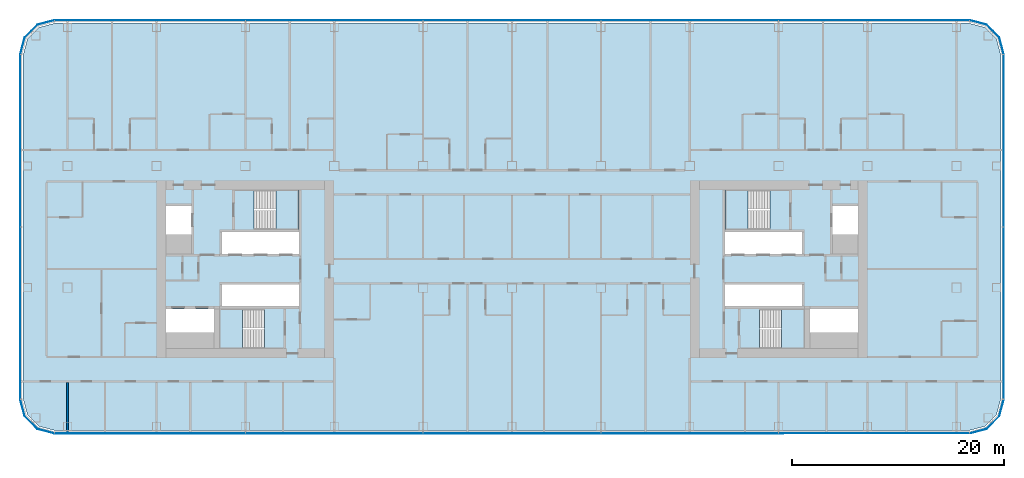
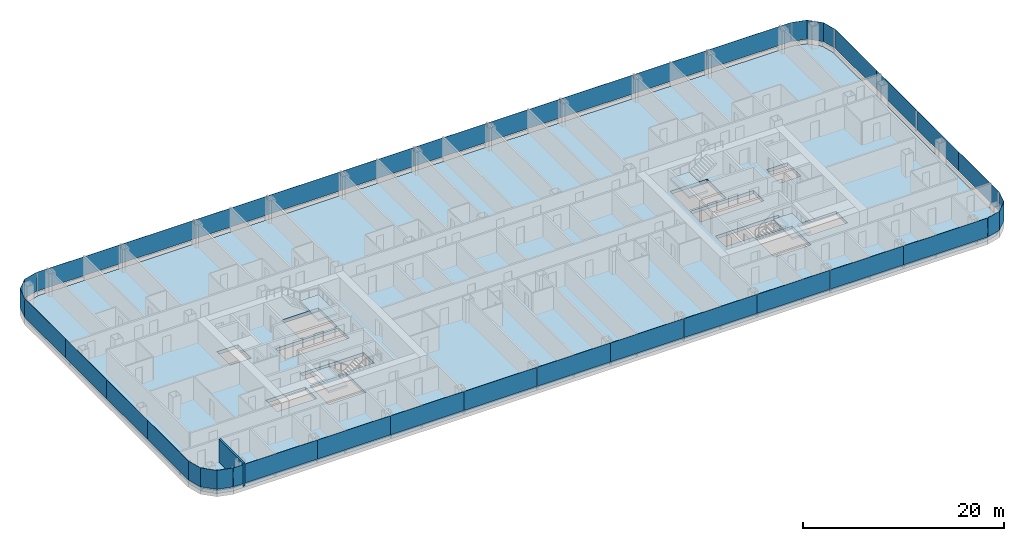
# One storey, part 14 of 29: 32 plates, 5 slabs, 1 wall, 12 elements without a shape of their own.
"""IFC4 building model written with IfcOpenShell, lengths in metres."""

from ifc_helpers import new_model, si_unit, direction, frame, frame_2d, origin, origin_2d, place, context, subcontext, project, spatial, polyline, rectangle, outline, extrude, material, layer, layer_set, type_object, element, aggregate, save


model = new_model("IFC4")

# Units and contexts
model_context = context("Model", 3, precision=1e-05, world=origin(), true_north=direction((0.0, 1.0)))
body_context = subcontext(model_context, "Body", "Model", "MODEL_VIEW")
ifc_project = project(units=[si_unit("LENGTHUNIT", "METRE"), si_unit("AREAUNIT", "SQUARE_METRE"), si_unit("VOLUMEUNIT", "CUBIC_METRE"), si_unit("PLANEANGLEUNIT", "RADIAN"), si_unit("MASSUNIT", "GRAM", prefix="KILO")], contexts=[model_context])

# Site, building, storey
site_placement = place(None, origin())
site = spatial("IfcSite", under=ifc_project, at=site_placement, CompositionType="ELEMENT")
building_placement = place(site_placement, origin())
building = spatial("IfcBuilding", under=site, at=building_placement, Name="Hakoniwa Tower and Hamabe Station Hall", CompositionType="ELEMENT")
storey_placement = place(building_placement, frame((0.0, 0.0, 97.800048828125)))
storey = spatial("IfcBuildingStorey", under=building, at=storey_placement, Name="L27", CompositionType="ELEMENT", Elevation=97.800048828125)

# Stair, slab
ifc_material_1 = material(Name="Concrete C40", Category="concrete")
stair_type = type_object("IfcStairType", Name="ESCAPE STAIR 1800", PredefinedType="HALF_TURN_STAIR", material=ifc_material_1)
stair_1_placement = place(storey_placement, origin())
stair_1 = element("IfcStair", 1, at=stair_1_placement, inside=storey, type_object=stair_type, Name="Escape stair ST-1 L27", PredefinedType="HALF_TURN_STAIR")
ifc_material_2 = material(Name="Concrete C40", Category="concrete")
ifc_layer_1 = layer(ifc_material_2, 0.25)
ifc_layer_set_1 = layer_set([ifc_layer_1], Name="CORE STAIR LANDING 250")
slab_type_1 = type_object("IfcSlabType", Name="CORE STAIR LANDING 250", PredefinedType="LANDING", material=ifc_layer_set_1)
slab_1_placement = place(storey_placement, frame((0.0, 0.0, 1.349853515625)))
slab_1 = element("IfcSlab", 2, at=slab_1_placement, type_object=slab_type_1, Name="ST-1 landing 1", PredefinedType="LANDING", context=body_context, shape_type="SweptSolid", body=[
    extrude(outline(polyline([(-22.320068359375, 3.75), (-20.14990234375, 3.75), (-20.14990234375, 7.5), (-22.320068359375, 7.5), (-22.320068359375, 3.75)])), origin(), (0.0, 0.0, 1.0), 0.25),
])
aggregate(stair_1, [slab_1])

stair_2_placement = place(storey_placement, origin())
stair_2 = element("IfcStair", 3, at=stair_2_placement, inside=storey, type_object=stair_type, Name="Escape stair ST-2 L27", PredefinedType="HALF_TURN_STAIR")
slab_2_placement = place(storey_placement, frame((0.0, 0.0, 1.349853515625)))
slab_2 = element("IfcSlab", 4, at=slab_2_placement, type_object=slab_type_1, Name="ST-2 landing 1", PredefinedType="LANDING", context=body_context, shape_type="SweptSolid", body=[
    extrude(outline(polyline([(-25.47998046875, -7.5), (-27.64990234375, -7.5), (-27.64990234375, -3.75), (-25.47998046875, -3.75), (-25.47998046875, -7.5)])), origin(), (0.0, 0.0, 1.0), 0.25),
])
aggregate(stair_2, [slab_2])

stair_3_placement = place(storey_placement, origin())
stair_3 = element("IfcStair", 5, at=stair_3_placement, inside=storey, type_object=stair_type, Name="Escape stair ST-3 L27", PredefinedType="HALF_TURN_STAIR")
slab_3_placement = place(storey_placement, frame((0.0, 0.0, 1.349853515625)))
slab_3 = element("IfcSlab", 6, at=slab_3_placement, type_object=slab_type_1, Name="ST-3 landing 1", PredefinedType="LANDING", context=body_context, shape_type="SweptSolid", body=[
    extrude(outline(polyline([(22.320068359375, 3.75), (20.14990234375, 3.75), (20.14990234375, 7.5), (22.320068359375, 7.5), (22.320068359375, 3.75)])), origin(), (0.0, 0.0, 1.0), 0.25),
])
aggregate(stair_3, [slab_3])

stair_4_placement = place(storey_placement, origin())
stair_4 = element("IfcStair", 7, at=stair_4_placement, inside=storey, type_object=stair_type, Name="Escape stair ST-4 L27", PredefinedType="HALF_TURN_STAIR")
slab_4_placement = place(storey_placement, frame((0.0, 0.0, 1.349853515625)))
slab_4 = element("IfcSlab", 8, at=slab_4_placement, type_object=slab_type_1, Name="ST-4 landing 1", PredefinedType="LANDING", context=body_context, shape_type="SweptSolid", body=[
    extrude(outline(polyline([(25.47998046875, -7.5), (27.64990234375, -7.5), (27.64990234375, -3.75), (25.47998046875, -3.75), (25.47998046875, -7.5)])), origin(), (0.0, 0.0, 1.0), 0.25),
])
aggregate(stair_4, [slab_4])

# Curtain wall, plates
ifc_material_3 = material(Name="Dark low-e laminated glass", Category="glass")
ifc_layer_2 = layer(ifc_material_3, 0.199951171875)
ifc_layer_set_2 = layer_set([ifc_layer_2], Name="CW-1 UNITISED GUEST")
curtain_wall_type = type_object("IfcCurtainWallType", Name="CW-1 UNITISED GUEST", PredefinedType="NOTDEFINED", material=ifc_layer_set_2)
curtain_wall_1_placement = place(storey_placement, origin())
curtain_wall_1 = element("IfcCurtainWall", 9, at=curtain_wall_1_placement, inside=storey, type_object=curtain_wall_type, Name="CW-1 curtain wall", PredefinedType="NOTDEFINED")
ifc_material_4 = material(Name="Dark low-e laminated glass", Category="glass")
ifc_layer_3 = layer(ifc_material_4, 0.028076171875)
ifc_layer_set_3 = layer_set([ifc_layer_3], Name="CW-1 GLASS UNIT")
plate_type = type_object("IfcPlateType", Name="CW-1 GLASS UNIT", PredefinedType="CURTAIN_PANEL", material=ifc_layer_set_3)
plate_1_placement = place(storey_placement, frame((46.486083984375, -8.217041015625, 0.35009765625), z_axis=(0.0, 0.0, 1.0), x_axis=(0.0, 1.0, 0.0)))
plate_1 = element("IfcPlate", 10, at=plate_1_placement, type_object=plate_type, Name="CW-1 glass unit", PredefinedType="CURTAIN_PANEL", context=body_context, shape_type="SweptSolid", body=[
    extrude(rectangle(XDim=8.124755859375, YDim=0.028076171875, at=origin_2d()), origin(), (0.0, 0.0, 1.0), 2.300048828125),
])
plate_2_placement = place(storey_placement, frame((46.486083984375, -0.072265625, 0.35009765625), z_axis=(0.0, 0.0, 1.0), x_axis=(0.0, 1.0, 0.0)))
plate_2 = element("IfcPlate", 11, at=plate_2_placement, type_object=plate_type, Name="CW-1 glass unit", PredefinedType="CURTAIN_PANEL", context=body_context, shape_type="SweptSolid", body=[
    extrude(rectangle(XDim=8.124755859375, YDim=0.028076171875, at=origin_2d()), origin(), (0.0, 0.0, 1.0), 2.300048828125),
])
plate_3_placement = place(storey_placement, frame((46.486083984375, 8.072265625, 0.35009765625), z_axis=(0.0, 0.0, 1.0), x_axis=(0.0, 1.0, 0.0)))
plate_3 = element("IfcPlate", 12, at=plate_3_placement, type_object=plate_type, Name="CW-1 glass unit", PredefinedType="CURTAIN_PANEL", context=body_context, shape_type="SweptSolid", body=[
    extrude(rectangle(XDim=8.124755859375, YDim=0.028076171875, at=origin_2d()), origin(), (0.0, 0.0, 1.0), 2.300048828125),
])
plate_4_placement = place(storey_placement, frame((46.486083984375, 16.217041015625, 0.35009765625), z_axis=(0.0, 0.0, 1.0), x_axis=(0.0, 1.0, 0.0)))
plate_4 = element("IfcPlate", 13, at=plate_4_placement, type_object=plate_type, Name="CW-1 glass unit", PredefinedType="CURTAIN_PANEL", context=body_context, shape_type="SweptSolid", body=[
    extrude(rectangle(XDim=8.124755859375, YDim=0.028076171875, at=origin_2d()), origin(), (0.0, 0.0, 1.0), 2.300048828125),
])
aggregate(curtain_wall_1, [plate_1, plate_2, plate_3, plate_4])

# Curtain wall, plate
curtain_wall_2_placement = place(storey_placement, origin())
curtain_wall_2 = element("IfcCurtainWall", 14, at=curtain_wall_2_placement, inside=storey, type_object=curtain_wall_type, Name="CW-1 curtain wall", PredefinedType="NOTDEFINED")
plate_5_placement = place(storey_placement, frame((0.0, 0.0, 0.349853515625)))
plate_5 = element("IfcPlate", 15, at=plate_5_placement, type_object=plate_type, Name="CW-1 curved corner unit", PredefinedType="CURTAIN_PANEL", context=body_context, shape_type="SweptSolid", body=[
    extrude(outline(polyline([(46.48974609375, 20.328125), (46.067138671875, 21.9052734375), (44.855224609375, 23.116943359375), (43.278076171875, 23.53955078125), (43.27099609375, 23.5126953125), (44.8408203125, 23.092041015625), (46.0419921875, 21.890869140625), (46.462646484375, 20.32080078125), (46.48974609375, 20.328125)])), origin(), (0.0, 0.0, 1.0), 2.300048828125),
])
aggregate(curtain_wall_2, [plate_5])

# Curtain wall, plates
curtain_wall_3_placement = place(storey_placement, origin())
curtain_wall_3 = element("IfcCurtainWall", 16, at=curtain_wall_3_placement, inside=storey, type_object=curtain_wall_type, Name="CW-1 curtain wall", PredefinedType="NOTDEFINED")
plate_6_placement = place(storey_placement, frame((38.419677734375, 23.535888671875, 0.35009765625), z_axis=(0.0, 0.0, 1.0), x_axis=(-1.0, 0.0, 0.0)))
plate_6 = element("IfcPlate", 17, at=plate_6_placement, type_object=plate_type, Name="CW-1 glass unit", PredefinedType="CURTAIN_PANEL", context=body_context, shape_type="SweptSolid", body=[
    extrude(rectangle(XDim=9.619384765625, YDim=0.028076171875, at=origin_2d()), origin(), (0.0, 0.0, 1.0), 2.300048828125),
])
plate_7_placement = place(storey_placement, frame((29.39990234375, 23.535888671875, 0.35009765625), z_axis=(0.0, 0.0, 1.0), x_axis=(-1.0, 0.0, 0.0)))
plate_7 = element("IfcPlate", 18, at=plate_7_placement, type_object=plate_type, Name="CW-1 glass unit", PredefinedType="CURTAIN_PANEL", context=body_context, shape_type="SweptSolid", body=[
    extrude(rectangle(XDim=8.3798828125, YDim=0.028076171875, at=origin_2d()), origin(), (0.0, 0.0, 1.0), 2.300048828125),
])
plate_8_placement = place(storey_placement, frame((21.0, 23.535888671875, 0.35009765625), z_axis=(0.0, 0.0, 1.0), x_axis=(-1.0, 0.0, 0.0)))
plate_8 = element("IfcPlate", 19, at=plate_8_placement, type_object=plate_type, Name="CW-1 glass unit", PredefinedType="CURTAIN_PANEL", context=body_context, shape_type="SweptSolid", body=[
    extrude(rectangle(XDim=8.3798828125, YDim=0.028076171875, at=origin_2d()), origin(), (0.0, 0.0, 1.0), 2.300048828125),
])
plate_9_placement = place(storey_placement, frame((12.60009765625, 23.535888671875, 0.35009765625), z_axis=(0.0, 0.0, 1.0), x_axis=(-1.0, 0.0, 0.0)))
plate_9 = element("IfcPlate", 20, at=plate_9_placement, type_object=plate_type, Name="CW-1 glass unit", PredefinedType="CURTAIN_PANEL", context=body_context, shape_type="SweptSolid", body=[
    extrude(rectangle(XDim=8.3798828125, YDim=0.028076171875, at=origin_2d()), origin(), (0.0, 0.0, 1.0), 2.300048828125),
])
plate_10_placement = place(storey_placement, frame((4.199951171875, 23.535888671875, 0.35009765625), z_axis=(0.0, 0.0, 1.0), x_axis=(-1.0, 0.0, 0.0)))
plate_10 = element("IfcPlate", 21, at=plate_10_placement, type_object=plate_type, Name="CW-1 glass unit", PredefinedType="CURTAIN_PANEL", context=body_context, shape_type="SweptSolid", body=[
    extrude(rectangle(XDim=8.3798828125, YDim=0.028076171875, at=origin_2d()), origin(), (0.0, 0.0, 1.0), 2.300048828125),
])
plate_11_placement = place(storey_placement, frame((-4.199951171875, 23.535888671875, 0.35009765625), z_axis=(0.0, 0.0, 1.0), x_axis=(-1.0, 0.0, 0.0)))
plate_11 = element("IfcPlate", 22, at=plate_11_placement, type_object=plate_type, Name="CW-1 glass unit", PredefinedType="CURTAIN_PANEL", context=body_context, shape_type="SweptSolid", body=[
    extrude(rectangle(XDim=8.3798828125, YDim=0.028076171875, at=origin_2d()), origin(), (0.0, 0.0, 1.0), 2.300048828125),
])
plate_12_placement = place(storey_placement, frame((-12.60009765625, 23.535888671875, 0.35009765625), z_axis=(0.0, 0.0, 1.0), x_axis=(-1.0, 0.0, 0.0)))
plate_12 = element("IfcPlate", 23, at=plate_12_placement, type_object=plate_type, Name="CW-1 glass unit", PredefinedType="CURTAIN_PANEL", context=body_context, shape_type="SweptSolid", body=[
    extrude(rectangle(XDim=8.3798828125, YDim=0.028076171875, at=origin_2d()), origin(), (0.0, 0.0, 1.0), 2.300048828125),
])
plate_13_placement = place(storey_placement, frame((-21.0, 23.535888671875, 0.35009765625), z_axis=(0.0, 0.0, 1.0), x_axis=(-1.0, 0.0, 0.0)))
plate_13 = element("IfcPlate", 24, at=plate_13_placement, type_object=plate_type, Name="CW-1 glass unit", PredefinedType="CURTAIN_PANEL", context=body_context, shape_type="SweptSolid", body=[
    extrude(rectangle(XDim=8.3798828125, YDim=0.028076171875, at=origin_2d()), origin(), (0.0, 0.0, 1.0), 2.300048828125),
])
plate_14_placement = place(storey_placement, frame((-29.39990234375, 23.535888671875, 0.35009765625), z_axis=(0.0, 0.0, 1.0), x_axis=(-1.0, 0.0, 0.0)))
plate_14 = element("IfcPlate", 25, at=plate_14_placement, type_object=plate_type, Name="CW-1 glass unit", PredefinedType="CURTAIN_PANEL", context=body_context, shape_type="SweptSolid", body=[
    extrude(rectangle(XDim=8.3798828125, YDim=0.028076171875, at=origin_2d()), origin(), (0.0, 0.0, 1.0), 2.300048828125),
])
plate_15_placement = place(storey_placement, frame((-38.419677734375, 23.535888671875, 0.35009765625), z_axis=(0.0, 0.0, 1.0), x_axis=(-1.0, 0.0, 0.0)))
plate_15 = element("IfcPlate", 26, at=plate_15_placement, type_object=plate_type, Name="CW-1 glass unit", PredefinedType="CURTAIN_PANEL", context=body_context, shape_type="SweptSolid", body=[
    extrude(rectangle(XDim=9.619384765625, YDim=0.028076171875, at=origin_2d()), origin(), (0.0, 0.0, 1.0), 2.300048828125),
])
aggregate(curtain_wall_3, [plate_6, plate_7, plate_8, plate_9, plate_10, plate_11, plate_12, plate_13, plate_14, plate_15])

# Curtain wall, plate
curtain_wall_4_placement = place(storey_placement, origin())
curtain_wall_4 = element("IfcCurtainWall", 27, at=curtain_wall_4_placement, inside=storey, type_object=curtain_wall_type, Name="CW-1 curtain wall", PredefinedType="NOTDEFINED")
plate_16_placement = place(storey_placement, frame((0.0, 0.0, 0.349853515625)))
plate_16 = element("IfcPlate", 28, at=plate_16_placement, type_object=plate_type, Name="CW-1 curved corner unit", PredefinedType="CURTAIN_PANEL", context=body_context, shape_type="SweptSolid", body=[
    extrude(outline(polyline([(-43.278076171875, 23.53955078125), (-44.855224609375, 23.116943359375), (-46.067138671875, 21.9052734375), (-46.48974609375, 20.328125), (-46.462646484375, 20.32080078125), (-46.0419921875, 21.890869140625), (-44.8408203125, 23.092041015625), (-43.27099609375, 23.5126953125), (-43.278076171875, 23.53955078125)])), origin(), (0.0, 0.0, 1.0), 2.300048828125),
])
aggregate(curtain_wall_4, [plate_16])

# Curtain wall, plates
curtain_wall_5_placement = place(storey_placement, origin())
curtain_wall_5 = element("IfcCurtainWall", 29, at=curtain_wall_5_placement, inside=storey, type_object=curtain_wall_type, Name="CW-1 curtain wall", PredefinedType="NOTDEFINED")
plate_17_placement = place(storey_placement, frame((-46.486083984375, 16.217041015625, 0.35009765625), z_axis=(0.0, 0.0, 1.0), x_axis=(0.0, -1.0, 0.0)))
plate_17 = element("IfcPlate", 30, at=plate_17_placement, type_object=plate_type, Name="CW-1 glass unit", PredefinedType="CURTAIN_PANEL", context=body_context, shape_type="SweptSolid", body=[
    extrude(rectangle(XDim=8.124755859375, YDim=0.028076171875, at=origin_2d()), origin(), (0.0, 0.0, 1.0), 2.300048828125),
])
plate_18_placement = place(storey_placement, frame((-46.486083984375, 8.072265625, 0.35009765625), z_axis=(0.0, 0.0, 1.0), x_axis=(0.0, -1.0, 0.0)))
plate_18 = element("IfcPlate", 31, at=plate_18_placement, type_object=plate_type, Name="CW-1 glass unit", PredefinedType="CURTAIN_PANEL", context=body_context, shape_type="SweptSolid", body=[
    extrude(rectangle(XDim=8.124755859375, YDim=0.028076171875, at=origin_2d()), origin(), (0.0, 0.0, 1.0), 2.300048828125),
])
plate_19_placement = place(storey_placement, frame((-46.486083984375, -0.072265625, 0.35009765625), z_axis=(0.0, 0.0, 1.0), x_axis=(0.0, -1.0, 0.0)))
plate_19 = element("IfcPlate", 32, at=plate_19_placement, type_object=plate_type, Name="CW-1 glass unit", PredefinedType="CURTAIN_PANEL", context=body_context, shape_type="SweptSolid", body=[
    extrude(rectangle(XDim=8.124755859375, YDim=0.028076171875, at=origin_2d()), origin(), (0.0, 0.0, 1.0), 2.300048828125),
])
plate_20_placement = place(storey_placement, frame((-46.486083984375, -8.217041015625, 0.35009765625), z_axis=(0.0, 0.0, 1.0), x_axis=(0.0, -1.0, 0.0)))
plate_20 = element("IfcPlate", 33, at=plate_20_placement, type_object=plate_type, Name="CW-1 glass unit", PredefinedType="CURTAIN_PANEL", context=body_context, shape_type="SweptSolid", body=[
    extrude(rectangle(XDim=8.124755859375, YDim=0.028076171875, at=origin_2d()), origin(), (0.0, 0.0, 1.0), 2.300048828125),
])
aggregate(curtain_wall_5, [plate_17, plate_18, plate_19, plate_20])

# Curtain wall, plate
curtain_wall_6_placement = place(storey_placement, origin())
curtain_wall_6 = element("IfcCurtainWall", 34, at=curtain_wall_6_placement, inside=storey, type_object=curtain_wall_type, Name="CW-1 curtain wall", PredefinedType="NOTDEFINED")
plate_21_placement = place(storey_placement, frame((0.0, 0.0, 0.349853515625)))
plate_21 = element("IfcPlate", 35, at=plate_21_placement, type_object=plate_type, Name="CW-1 curved corner unit", PredefinedType="CURTAIN_PANEL", context=body_context, shape_type="SweptSolid", body=[
    extrude(outline(polyline([(-46.48974609375, -12.328125), (-46.067138671875, -13.9052734375), (-44.855224609375, -15.116943359375), (-43.278076171875, -15.53955078125), (-43.27099609375, -15.5126953125), (-44.8408203125, -15.092041015625), (-46.0419921875, -13.890869140625), (-46.462646484375, -12.32080078125), (-46.48974609375, -12.328125)])), origin(), (0.0, 0.0, 1.0), 2.300048828125),
])
aggregate(curtain_wall_6, [plate_21])

# Curtain wall, plates
curtain_wall_7_placement = place(storey_placement, origin())
curtain_wall_7 = element("IfcCurtainWall", 36, at=curtain_wall_7_placement, inside=storey, type_object=curtain_wall_type, Name="CW-1 curtain wall", PredefinedType="NOTDEFINED")
plate_22_placement = place(storey_placement, frame((-38.419677734375, -15.535888671875, 0.35009765625), z_axis=(0.0, 0.0, 1.0), x_axis=(1.0, 0.0, 0.0)))
plate_22 = element("IfcPlate", 37, at=plate_22_placement, type_object=plate_type, Name="CW-1 glass unit", PredefinedType="CURTAIN_PANEL", context=body_context, shape_type="SweptSolid", body=[
    extrude(rectangle(XDim=9.619384765625, YDim=0.028076171875, at=origin_2d()), origin(), (0.0, 0.0, 1.0), 2.300048828125),
])
plate_23_placement = place(storey_placement, frame((-29.39990234375, -15.535888671875, 0.35009765625), z_axis=(0.0, 0.0, 1.0), x_axis=(1.0, 0.0, 0.0)))
plate_23 = element("IfcPlate", 38, at=plate_23_placement, type_object=plate_type, Name="CW-1 glass unit", PredefinedType="CURTAIN_PANEL", context=body_context, shape_type="SweptSolid", body=[
    extrude(rectangle(XDim=8.3798828125, YDim=0.028076171875, at=origin_2d()), origin(), (0.0, 0.0, 1.0), 2.300048828125),
])
plate_24_placement = place(storey_placement, frame((-21.0, -15.535888671875, 0.35009765625), z_axis=(0.0, 0.0, 1.0), x_axis=(1.0, 0.0, 0.0)))
plate_24 = element("IfcPlate", 39, at=plate_24_placement, type_object=plate_type, Name="CW-1 glass unit", PredefinedType="CURTAIN_PANEL", context=body_context, shape_type="SweptSolid", body=[
    extrude(rectangle(XDim=8.3798828125, YDim=0.028076171875, at=origin_2d()), origin(), (0.0, 0.0, 1.0), 2.300048828125),
])
plate_25_placement = place(storey_placement, frame((-12.60009765625, -15.535888671875, 0.35009765625), z_axis=(0.0, 0.0, 1.0), x_axis=(1.0, 0.0, 0.0)))
plate_25 = element("IfcPlate", 40, at=plate_25_placement, type_object=plate_type, Name="CW-1 glass unit", PredefinedType="CURTAIN_PANEL", context=body_context, shape_type="SweptSolid", body=[
    extrude(rectangle(XDim=8.3798828125, YDim=0.028076171875, at=origin_2d()), origin(), (0.0, 0.0, 1.0), 2.300048828125),
])
plate_26_placement = place(storey_placement, frame((-4.199951171875, -15.535888671875, 0.35009765625), z_axis=(0.0, 0.0, 1.0), x_axis=(1.0, 0.0, 0.0)))
plate_26 = element("IfcPlate", 41, at=plate_26_placement, type_object=plate_type, Name="CW-1 glass unit", PredefinedType="CURTAIN_PANEL", context=body_context, shape_type="SweptSolid", body=[
    extrude(rectangle(XDim=8.3798828125, YDim=0.028076171875, at=origin_2d()), origin(), (0.0, 0.0, 1.0), 2.300048828125),
])
plate_27_placement = place(storey_placement, frame((4.199951171875, -15.535888671875, 0.35009765625), z_axis=(0.0, 0.0, 1.0), x_axis=(1.0, 0.0, 0.0)))
plate_27 = element("IfcPlate", 42, at=plate_27_placement, type_object=plate_type, Name="CW-1 glass unit", PredefinedType="CURTAIN_PANEL", context=body_context, shape_type="SweptSolid", body=[
    extrude(rectangle(XDim=8.3798828125, YDim=0.028076171875, at=origin_2d()), origin(), (0.0, 0.0, 1.0), 2.300048828125),
])
plate_28_placement = place(storey_placement, frame((12.60009765625, -15.535888671875, 0.35009765625), z_axis=(0.0, 0.0, 1.0), x_axis=(1.0, 0.0, 0.0)))
plate_28 = element("IfcPlate", 43, at=plate_28_placement, type_object=plate_type, Name="CW-1 glass unit", PredefinedType="CURTAIN_PANEL", context=body_context, shape_type="SweptSolid", body=[
    extrude(rectangle(XDim=8.3798828125, YDim=0.028076171875, at=origin_2d()), origin(), (0.0, 0.0, 1.0), 2.300048828125),
])
plate_29_placement = place(storey_placement, frame((21.0, -15.535888671875, 0.35009765625), z_axis=(0.0, 0.0, 1.0), x_axis=(1.0, 0.0, 0.0)))
plate_29 = element("IfcPlate", 44, at=plate_29_placement, type_object=plate_type, Name="CW-1 glass unit", PredefinedType="CURTAIN_PANEL", context=body_context, shape_type="SweptSolid", body=[
    extrude(rectangle(XDim=8.3798828125, YDim=0.028076171875, at=origin_2d()), origin(), (0.0, 0.0, 1.0), 2.300048828125),
])
plate_30_placement = place(storey_placement, frame((29.39990234375, -15.535888671875, 0.35009765625), z_axis=(0.0, 0.0, 1.0), x_axis=(1.0, 0.0, 0.0)))
plate_30 = element("IfcPlate", 45, at=plate_30_placement, type_object=plate_type, Name="CW-1 glass unit", PredefinedType="CURTAIN_PANEL", context=body_context, shape_type="SweptSolid", body=[
    extrude(rectangle(XDim=8.3798828125, YDim=0.028076171875, at=origin_2d()), origin(), (0.0, 0.0, 1.0), 2.300048828125),
])
plate_31_placement = place(storey_placement, frame((38.419677734375, -15.535888671875, 0.35009765625), z_axis=(0.0, 0.0, 1.0), x_axis=(1.0, 0.0, 0.0)))
plate_31 = element("IfcPlate", 46, at=plate_31_placement, type_object=plate_type, Name="CW-1 glass unit", PredefinedType="CURTAIN_PANEL", context=body_context, shape_type="SweptSolid", body=[
    extrude(rectangle(XDim=9.619384765625, YDim=0.028076171875, at=origin_2d()), origin(), (0.0, 0.0, 1.0), 2.300048828125),
])
aggregate(curtain_wall_7, [plate_22, plate_23, plate_24, plate_25, plate_26, plate_27, plate_28, plate_29, plate_30, plate_31])

# Curtain wall, plate
curtain_wall_8_placement = place(storey_placement, origin())
curtain_wall_8 = element("IfcCurtainWall", 47, at=curtain_wall_8_placement, inside=storey, type_object=curtain_wall_type, Name="CW-1 curtain wall", PredefinedType="NOTDEFINED")
plate_32_placement = place(storey_placement, frame((0.0, 0.0, 0.349853515625)))
plate_32 = element("IfcPlate", 48, at=plate_32_placement, type_object=plate_type, Name="CW-1 curved corner unit", PredefinedType="CURTAIN_PANEL", context=body_context, shape_type="SweptSolid", body=[
    extrude(outline(polyline([(43.278076171875, -15.53955078125), (44.855224609375, -15.116943359375), (46.067138671875, -13.9052734375), (46.48974609375, -12.328125), (46.462646484375, -12.32080078125), (46.0419921875, -13.890869140625), (44.8408203125, -15.092041015625), (43.27099609375, -15.5126953125), (43.278076171875, -15.53955078125)])), origin(), (0.0, 0.0, 1.0), 2.300048828125),
])
aggregate(curtain_wall_8, [plate_32])

# Slab
ifc_material_5 = material(Name="Concrete C42", Category="concrete")
ifc_layer_4 = layer(ifc_material_5, 0.39990234375)
ifc_layer_set_4 = layer_set([ifc_layer_4], Name="PT FLAT PLATE 400")
slab_type_2 = type_object("IfcSlabType", Name="PT FLAT PLATE 400", PredefinedType="FLOOR", material=ifc_layer_set_4)
slab_5_placement = place(storey_placement, frame((0.0, 0.0, -0.400146484375)))
element("IfcSlab", 49, at=slab_5_placement, inside=storey, type_object=slab_type_2, Name="Floor slab L27", PredefinedType="FLOOR", context=body_context, shape_type="SweptSolid", body=[
    extrude(outline(polyline([(46.199951171875, -12.25), (46.199951171875, 20.25), (45.798095703125, 21.75), (44.699951171875, 22.84814453125), (43.199951171875, 23.25), (-43.199951171875, 23.25), (-44.699951171875, 22.84814453125), (-45.798095703125, 21.75), (-46.199951171875, 20.25), (-46.199951171875, -12.25), (-45.798095703125, -13.75), (-44.699951171875, -14.84814453125), (-43.199951171875, -15.25), (43.199951171875, -15.25), (44.699951171875, -14.84814453125), (45.798095703125, -13.75), (46.199951171875, -12.25)]), holes=[polyline([(-27.39990234375, 1.449951171875), (-27.39990234375, 3.5), (-20.14990234375, 3.5), (-20.14990234375, 1.449951171875), (-27.39990234375, 1.449951171875)]), polyline([(-27.39990234375, -3.5), (-27.39990234375, -1.449951171875), (-20.14990234375, -1.449951171875), (-20.14990234375, -3.5), (-27.39990234375, -3.5)]), polyline([(-32.699951171875, 3.300048828125), (-32.699951171875, 5.949951171875), (-30.300048828125, 5.949951171875), (-30.300048828125, 3.300048828125), (-32.699951171875, 3.300048828125)]), polyline([(-32.699951171875, -6.0), (-32.699951171875, -3.75), (-28.14990234375, -3.75), (-28.14990234375, -6.0), (-32.699951171875, -6.0)]), polyline([(-24.389892578125, 3.75), (-24.389892578125, 7.5), (-20.14990234375, 7.5), (-20.14990234375, 3.75), (-24.389892578125, 3.75)]), polyline([(-27.64990234375, -7.5), (-27.64990234375, -3.75), (-23.409912109375, -3.75), (-23.409912109375, -7.5), (-27.64990234375, -7.5)]), polyline([(20.14990234375, 1.449951171875), (20.14990234375, 3.5), (27.39990234375, 3.5), (27.39990234375, 1.449951171875), (20.14990234375, 1.449951171875)]), polyline([(20.14990234375, -3.5), (20.14990234375, -1.449951171875), (27.39990234375, -1.449951171875), (27.39990234375, -3.5), (20.14990234375, -3.5)]), polyline([(30.300048828125, 3.300048828125), (30.300048828125, 5.949951171875), (32.699951171875, 5.949951171875), (32.699951171875, 3.300048828125), (30.300048828125, 3.300048828125)]), polyline([(28.14990234375, -6.0), (28.14990234375, -3.75), (32.699951171875, -3.75), (32.699951171875, -6.0), (28.14990234375, -6.0)]), polyline([(20.14990234375, 3.75), (20.14990234375, 7.5), (24.389892578125, 7.5), (24.389892578125, 3.75), (20.14990234375, 3.75)]), polyline([(23.409912109375, -7.5), (23.409912109375, -3.75), (27.64990234375, -3.75), (27.64990234375, -7.5), (23.409912109375, -7.5)])]), origin(), (0.0, 0.0, 1.0), 0.400146484375),
])

# Wall
ifc_material_6 = material(Name="Fire-rated gypsum board partition", Category="gypsum")
ifc_layer_5 = layer(ifc_material_6, 0.199951171875)
ifc_layer_set_5 = layer_set([ifc_layer_5], Name="Party Wall 200")
wall_type = type_object("IfcWallType", Name="Party Wall 200", PredefinedType="PARTITIONING", material=ifc_layer_set_5)
wall_placement = place(storey_placement, frame((-42.0, -15.550048828125, 0.0), z_axis=(0.0, 0.0, 1.0), x_axis=(0.0, 1.0, 0.0)))
element("IfcWall", 50, at=wall_placement, inside=storey, type_object=wall_type, Name="GW-L27-037", PredefinedType="PARTITIONING", context=body_context, shape_type="SweptSolid", body=[
    extrude(rectangle(XDim=4.85009765625, YDim=0.199951171875, at=frame_2d((2.425048828125, 0.0))), origin(), (0.0, 0.0, 1.0), 2.800048828125),
])

save(model, "model.ifc")
